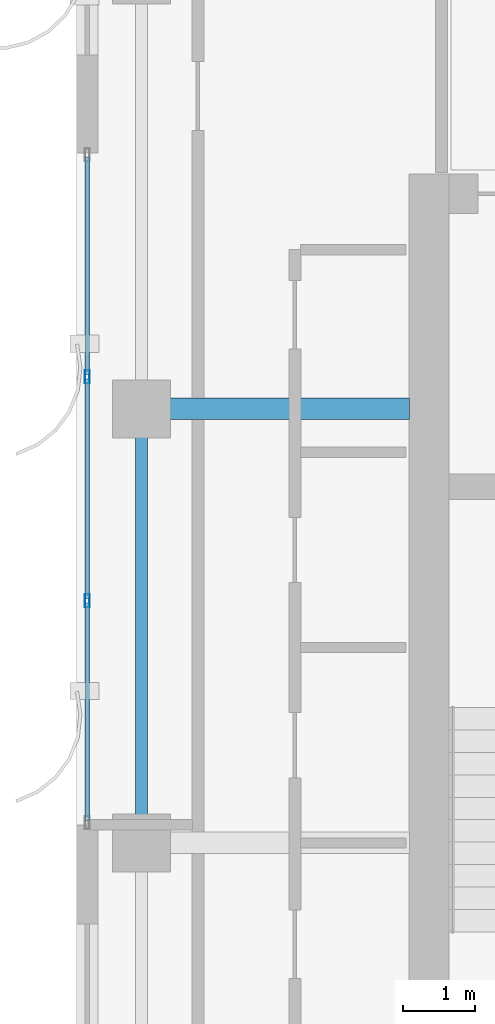
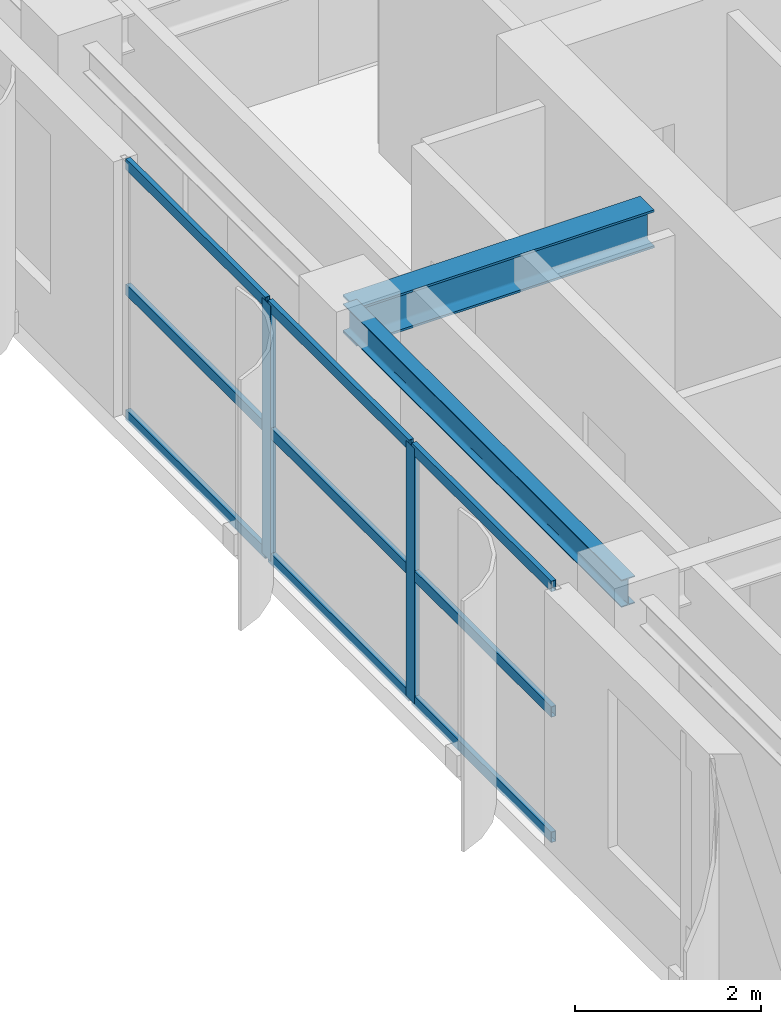
# One storey, part 6 of 24: 11 members, 2 beams, 1 element without a shape of its own.
"""IFC4 building model written with IfcOpenShell, lengths in metres."""

import ifcopenshell
import ifcopenshell.guid

model = None  # the IFC model being written
_history = None  # IfcOwnerHistory: only IFC2X3 demands one
_inside = {}  # id of a spatial element -> (the spatial element, [elements in it])
_under = {}  # id of a project, library or spatial element -> (it, [spatial elements below it])
_declared = {}  # id of a project -> (the project, [libraries it declares])
_typed = {}  # id of a type object -> (the type object, [elements of that type])
_made_of = {}  # id of a material, layer set ... -> (it, [elements and type objects made of it])


def new_model(schema):
    """Start an empty IFC model of exactly this schema.

    Asked for "IFC4X3", IfcOpenShell would pick the latest addendum, in which some entities
    have other attributes; the version numbers below select the first issue.
    IFC2X3 requires an IfcOwnerHistory on every rooted entity: one is made here for all.
    """
    global model, _history
    if schema == "IFC4X3":
        model = ifcopenshell.file(schema_version=(4, 3, 0, 0))
    else:
        model = ifcopenshell.file(schema=schema)
    _inside.clear()
    _under.clear()
    _declared.clear()
    _typed.clear()
    _made_of.clear()
    _history = None
    if model.schema == "IFC2X3":
        org = make("IfcOrganization", Name="unknown")
        user = make(
            "IfcPersonAndOrganization",
            ThePerson=make("IfcPerson", FamilyName="unknown"),
            TheOrganization=org,
        )
        app = make(
            "IfcApplication",
            ApplicationDeveloper=org,
            Version="unknown",
            ApplicationFullName="unknown",
            ApplicationIdentifier="unknown",
        )
        _history = make(
            "IfcOwnerHistory",
            OwningUser=user,
            OwningApplication=app,
            ChangeAction="ADDED",
            CreationDate=0,
        )
    return model


def make(cls, **values):
    """One entity of the class cls with the attributes given. An attribute that is None is left unset."""
    return model.create_entity(
        cls, **{name: value for name, value in values.items() if value is not None}
    )


def rooted(cls, **values):
    """An entity with a GlobalId (a new one), such as an element, a storey or a relation."""
    return make(cls, GlobalId=ifcopenshell.guid.new(), OwnerHistory=_history, **values)


def si_unit(unit_type, name, prefix=None):
    """IfcSIUnit, for example si_unit("LENGTHUNIT", "METRE", prefix="MILLI")."""
    return make("IfcSIUnit", UnitType=unit_type, Prefix=prefix, Name=name)


def assignment(units):
    """IfcUnitAssignment: the units of a project."""
    return None if units is None else make("IfcUnitAssignment", Units=units)


def point(xyz):
    """IfcCartesianPoint."""
    return None if xyz is None else make("IfcCartesianPoint", Coordinates=xyz)


def direction(xyz):
    """IfcDirection."""
    return None if xyz is None else make("IfcDirection", DirectionRatios=xyz)


def frame(location, z_axis=None, x_axis=None):
    """IfcAxis2Placement3D, a coordinate frame: its origin and axes. An axis left out is left unset."""
    return make(
        "IfcAxis2Placement3D",
        Location=point(location),
        Axis=direction(z_axis),
        RefDirection=direction(x_axis),
    )


def frame_2d(location, x_axis=None):
    """IfcAxis2Placement2D, a coordinate frame in the plane: its origin and x axis."""
    return make(
        "IfcAxis2Placement2D", Location=point(location), RefDirection=direction(x_axis)
    )


def origin():
    """The frame at (0, 0, 0) with its axes left unset."""
    return frame((0.0, 0.0, 0.0))


def origin_2d():
    """The frame at (0, 0) in the plane with its x axis left unset."""
    return frame_2d((0.0, 0.0))


def place(relative_to, where):
    """IfcLocalPlacement: puts the frame where relative to a parent placement (None: the world)."""
    return make(
        "IfcLocalPlacement", PlacementRelTo=relative_to, RelativePlacement=where
    )


def context(
    kind, dimensions, precision=None, world=None, true_north=None, identifier=None
):
    """IfcGeometricRepresentationContext, for example the 3D "Model" context."""
    return make(
        "IfcGeometricRepresentationContext",
        ContextIdentifier=identifier,
        ContextType=kind,
        CoordinateSpaceDimension=dimensions,
        Precision=precision,
        WorldCoordinateSystem=world,
        TrueNorth=true_north,
    )


def subcontext(parent, identifier, kind, view, scale=None):
    """IfcGeometricRepresentationSubContext, for example "Body" below "Model"."""
    return make(
        "IfcGeometricRepresentationSubContext",
        ContextIdentifier=identifier,
        ContextType=kind,
        ParentContext=parent,
        TargetScale=scale,
        TargetView=view,
    )


def project(units=None, contexts=None):
    """IfcProject with its units and contexts."""
    return rooted(
        "IfcProject",
        Name="project",
        RepresentationContexts=contexts,
        UnitsInContext=assignment(units),
    )


def spatial(cls, under=None, at=None, **own):
    """A site, building, storey or space (cls), placed at a placement, below another one or the project."""
    s = rooted(cls, ObjectPlacement=at, **own)
    if under is not None:
        _under.setdefault(under.id(), (under, []))[1].append(s)
    return s


def profile(cls, at=None, kind="AREA", **sizes):
    """A parametric profile (cls). Its sizes go by their IFC names, for example OverallWidth=200.0."""
    return make(cls, ProfileType=kind, Position=at, **sizes)


def hollow_rectangle(**sizes):
    """IfcRectangleHollowProfileDef."""
    return profile("IfcRectangleHollowProfileDef", **sizes)


def i_section(**sizes):
    """IfcIShapeProfileDef."""
    return profile("IfcIShapeProfileDef", **sizes)


def extrude(swept, where, along, depth):
    """IfcExtrudedAreaSolid: the profile swept, set in the frame where, extruded along a direction by depth."""
    return make(
        "IfcExtrudedAreaSolid",
        SweptArea=swept,
        Position=where,
        ExtrudedDirection=direction(along),
        Depth=depth,
    )


def shape(context_of_items, identifier, shape_type, items):
    """IfcShapeRepresentation: the items that make up one representation, for example the "Body"."""
    return make(
        "IfcShapeRepresentation",
        ContextOfItems=context_of_items,
        RepresentationIdentifier=identifier,
        RepresentationType=shape_type,
        Items=items,
    )


def source(mapping_origin, context_of_items, identifier, shape_type, items):
    """IfcRepresentationMap: a shape defined once, which mapped items show again and again."""
    return make(
        "IfcRepresentationMap",
        MappingOrigin=mapping_origin,
        MappedRepresentation=shape(context_of_items, identifier, shape_type, items),
    )


def transform(
    local_origin,
    x_axis=None,
    y_axis=None,
    z_axis=None,
    scale=None,
    scale2=None,
    scale3=None,
    uniform=True,
):
    """IfcCartesianTransformationOperator3D, or its non-uniform kind. x_axis, y_axis, z_axis: its Axis1, 2, 3."""
    if uniform:
        return make(
            "IfcCartesianTransformationOperator3D",
            Axis1=direction(x_axis),
            Axis2=direction(y_axis),
            LocalOrigin=point(local_origin),
            Scale=scale,
            Axis3=direction(z_axis),
        )
    return make(
        "IfcCartesianTransformationOperator3DnonUniform",
        Axis1=direction(x_axis),
        Axis2=direction(y_axis),
        LocalOrigin=point(local_origin),
        Scale=scale,
        Axis3=direction(z_axis),
        Scale2=scale2,
        Scale3=scale3,
    )


def mapped(mapping_source, mapping_target):
    """IfcMappedItem: shows the shape of a source again, moved by a transform."""
    return make(
        "IfcMappedItem", MappingSource=mapping_source, MappingTarget=mapping_target
    )


def material(Name=None, Category=None):
    """IfcMaterial."""
    return make("IfcMaterial", Name=Name, Category=Category)


def layer(
    of_material, thickness, ventilated=None, Name=None, Category=None, Priority=None
):
    """IfcMaterialLayer: one layer of a wall or slab, of a material (None: an air gap)."""
    return make(
        "IfcMaterialLayer",
        Material=of_material,
        LayerThickness=thickness,
        IsVentilated=ventilated,
        Name=Name,
        Category=Category,
        Priority=Priority,
    )


def layer_set(layers, Name=None):
    """IfcMaterialLayerSet."""
    return make("IfcMaterialLayerSet", MaterialLayers=layers, LayerSetName=Name)


def material_profile(
    of_material, cross_section, Name=None, Category=None, Priority=None
):
    """IfcMaterialProfile: a cross section and its material."""
    return make(
        "IfcMaterialProfile",
        Name=Name,
        Material=of_material,
        Profile=cross_section,
        Priority=Priority,
        Category=Category,
    )


def profile_set(profiles, Name=None, composite=None):
    """IfcMaterialProfileSet."""
    return make(
        "IfcMaterialProfileSet",
        Name=Name,
        MaterialProfiles=profiles,
        CompositeProfile=composite,
    )


def made_of(thing, what):
    """Note that an element or type object is made of a material, layer set ...; save() writes the relation."""
    if what is not None:
        _made_of.setdefault(what.id(), (what, []))[1].append(thing)
    return thing


def type_object(cls, material=None, **own):
    """A type object (cls), such as IfcWallType, which elements share."""
    return made_of(rooted(cls, **own), material)


def element(
    cls,
    number,
    at=None,
    inside=None,
    cuts=None,
    type_object=None,
    material=None,
    context=None,
    identifier="Body",
    shape_type=None,
    held_by="IfcProductDefinitionShape",
    body=None,
    shapes=None,
    **own,
):
    """One element of the class cls, such as IfcWall. Its Tag is "e" and its number.

    at: its placement. inside: the storey or other place that contains it. cuts: it is an
    opening in that element (IfcRelVoidsElement). A single representation is given by context,
    identifier, shape_type and body (its items); several are given by shapes. held_by: the class
    of the entity that holds the representations. save() writes the other relations.
    """
    e = rooted(cls, Tag="e%d" % number, ObjectPlacement=at, **own)
    if body is not None:
        shapes = [shape(context, identifier, shape_type, body)]
    if shapes is not None:
        e.Representation = make(held_by, Representations=shapes)
    if inside is not None:
        _inside.setdefault(inside.id(), (inside, []))[1].append(e)
    if cuts is not None:
        rooted(
            "IfcRelVoidsElement", RelatingBuildingElement=cuts, RelatedOpeningElement=e
        )
    if type_object is not None:
        _typed.setdefault(type_object.id(), (type_object, []))[1].append(e)
    return made_of(e, material)


def aggregate(whole, parts):
    """IfcRelAggregates: a whole, such as a stair, and the parts it consists of."""
    return rooted("IfcRelAggregates", RelatingObject=whole, RelatedObjects=parts)


def save(model, path):
    """Write the relations noted so far, then the file.

    IfcRelAggregates (storeys below a building ...), IfcRelContainedInSpatialStructure (elements
    in a storey), IfcRelDefinesByType, IfcRelAssociatesMaterial and IfcRelDeclares: one each for
    every whole, place, type object, material and project.
    """
    for whole, parts in _under.values():
        aggregate(whole, parts)
    for where, things in _inside.values():
        rooted(
            "IfcRelContainedInSpatialStructure",
            RelatedElements=things,
            RelatingStructure=where,
        )
    for kind, things in _typed.values():
        rooted("IfcRelDefinesByType", RelatedObjects=things, RelatingType=kind)
    for what, things in _made_of.values():
        rooted("IfcRelAssociatesMaterial", RelatedObjects=things, RelatingMaterial=what)
    for by, libraries in _declared.values():
        rooted("IfcRelDeclares", RelatingContext=by, RelatedDefinitions=libraries)
    model.write(path)


model = new_model("IFC4")

# Units and contexts
model_context = context("Model", 3, precision=1e-05, world=origin(), true_north=direction((0.0, 1.0)))
body_context = subcontext(model_context, "Body", "Model", "MODEL_VIEW")
ifc_project = project(units=[si_unit("LENGTHUNIT", "METRE"), si_unit("AREAUNIT", "SQUARE_METRE"), si_unit("VOLUMEUNIT", "CUBIC_METRE"), si_unit("PLANEANGLEUNIT", "RADIAN"), si_unit("MASSUNIT", "GRAM", prefix="KILO")], contexts=[model_context])

# Site, building, storey
site_placement = place(None, origin())
site = spatial("IfcSite", under=ifc_project, at=site_placement, CompositionType="ELEMENT")
building_placement = place(site_placement, origin())
building = spatial("IfcBuilding", under=site, at=building_placement, Name="Khoralis Quay Care Tower", CompositionType="ELEMENT")
storey_placement = place(building_placement, frame((0.0, 0.0, 231.300048828125)))
storey = spatial("IfcBuildingStorey", under=building, at=storey_placement, Name="L60", CompositionType="ELEMENT", Elevation=231.300048828125)

# Beams
ifc_material_1 = material(Name="Steel S355", Category="steel")
ifc_material_profile_1 = material_profile(ifc_material_1, i_section(OverallWidth=0.169921875, OverallDepth=0.360107421875, WebThickness=0.008056640625, FlangeThickness=0.0126953125, FilletRadius=0.01806640625, at=origin_2d()), Name="Steel S355")
ifc_profile_set_1 = profile_set([ifc_material_profile_1], Name="Steel S355")
beam_type_1 = type_object("IfcBeamType", Name="BM-IPE360", PredefinedType="SPANDREL", material=ifc_profile_set_1)
shared_shape_1 = source(origin(), body_context, "Body", "SweptSolid", [
    extrude(i_section(OverallWidth=0.169921875, OverallDepth=0.360107421875, WebThickness=0.008056640625, FlangeThickness=0.0126953125, FilletRadius=0.01806640625, at=origin_2d()), origin(), (0.0, 0.0, 1.0), 6.0),
])
beam_1_placement = place(storey_placement, frame((3.89990234375, 18.0, 3.179931640625), z_axis=(0.0, 1.0, 0.0), x_axis=(-1.0, 0.0, 0.0)))
element("IfcBeam", 1, at=beam_1_placement, inside=storey, type_object=beam_type_1, Name="BM-TSP-L60-06", PredefinedType="SPANDREL", context=body_context, shape_type="MappedRepresentation", body=[
    mapped(shared_shape_1, transform((0.0, 0.0, 0.0), scale=1.0)),
])
ifc_material_profile_2 = material_profile(ifc_material_1, i_section(OverallWidth=0.300048828125, OverallDepth=0.5, WebThickness=0.014404296875, FlangeThickness=0.028076171875, FilletRadius=0.027099609375, at=origin_2d()), Name="Steel S355")
ifc_profile_set_2 = profile_set([ifc_material_profile_2], Name="Steel S355")
beam_type_2 = type_object("IfcBeamType", Name="BM-HEB500", PredefinedType="BEAM", material=ifc_profile_set_2)
shared_shape_2 = source(origin(), body_context, "Body", "SweptSolid", [
    extrude(i_section(OverallWidth=0.300048828125, OverallDepth=0.5, WebThickness=0.014404296875, FlangeThickness=0.028076171875, FilletRadius=0.027099609375, at=origin_2d()), origin(), (0.0, 0.0, 1.0), 3.7021484375),
])
beam_2_placement = place(storey_placement, frame((3.89990234375, 24.0, 3.10986328125), z_axis=(1.0, 0.0, 0.0), x_axis=(0.0, 1.0, 0.0)))
element("IfcBeam", 2, at=beam_2_placement, inside=storey, type_object=beam_type_2, Name="BM-TGXW-L60-240", PredefinedType="BEAM", context=body_context, shape_type="MappedRepresentation", body=[
    mapped(shared_shape_2, transform((0.0, 0.0, 0.0), scale=1.0)),
])

# Curtain wall, members
ifc_material_2 = material(Name="Pale anodised aluminium", Category="aluminium")
ifc_layer = layer(ifc_material_2, 0.159912109375)
ifc_layer_set = layer_set([ifc_layer], Name="Pale anodised aluminium")
curtain_wall_type = type_object("IfcCurtainWallType", Name="CW-SYS-Z3", PredefinedType="NOTDEFINED", material=ifc_layer_set)
curtain_wall_placement = place(storey_placement, origin())
curtain_wall = element("IfcCurtainWall", 3, at=curtain_wall_placement, inside=storey, type_object=curtain_wall_type, Name="L60 Unitised Curtain Wall CW-L60-P1-E7", PredefinedType="NOTDEFINED")
ifc_material_profile_3 = material_profile(ifc_material_2, hollow_rectangle(XDim=0.06494140625, YDim=0.179931640625, WallThickness=0.00390625, at=origin_2d()), Name="Pale anodised aluminium")
ifc_profile_set_3 = profile_set([ifc_material_profile_3], Name="Pale anodised aluminium")
member_type_1 = type_object("IfcMemberType", Name="CW-MUL-180", PredefinedType="MULLION", material=ifc_profile_set_3)
shared_shape_3 = source(origin(), body_context, "Body", "SweptSolid", [
    extrude(hollow_rectangle(XDim=0.06494140625, YDim=0.179931640625, WallThickness=0.00390625, at=origin_2d()), origin(), (0.0, 0.0, 1.0), 3.35986328125),
])
member_1_placement = place(storey_placement, frame((3.14990234375, 24.443359375, 0.0), z_axis=(0.0, 0.0, 1.0), x_axis=(1.0, 0.0, 0.0)))
member_1 = element("IfcMember", 4, at=member_1_placement, type_object=member_type_1, Name="CW3 mullion 2", PredefinedType="MULLION", context=body_context, shape_type="MappedRepresentation", body=[
    mapped(shared_shape_3, transform((0.0, 0.0, 0.0), scale=1.0)),
])
member_2_placement = place(storey_placement, frame((3.14990234375, 21.3466796875, 0.0), z_axis=(0.0, 0.0, 1.0), x_axis=(1.0, 0.0, 0.0)))
member_2 = element("IfcMember", 5, at=member_2_placement, type_object=member_type_1, Name="CW3 mullion 3", PredefinedType="MULLION", context=body_context, shape_type="MappedRepresentation", body=[
    mapped(shared_shape_3, transform((0.0, 0.0, 0.0), scale=1.0)),
])
ifc_material_profile_4 = material_profile(ifc_material_2, hollow_rectangle(XDim=0.06005859375, YDim=0.139892578125, WallThickness=0.00390625, at=origin_2d()), Name="Pale anodised aluminium")
ifc_profile_set_4 = profile_set([ifc_material_profile_4], Name="Pale anodised aluminium")
member_type_2 = type_object("IfcMemberType", Name="CW-TRN-140", PredefinedType="USERDEFINED", material=ifc_profile_set_4)
shared_shape_4 = source(origin(), body_context, "Body", "SweptSolid", [
    extrude(hollow_rectangle(XDim=0.06005859375, YDim=0.139892578125, WallThickness=0.00390625, at=origin_2d()), origin(), (0.0, 0.0, 1.0), 3.006591796875),
])
member_3_placement = place(storey_placement, frame((3.14990234375, 27.47998046875, 0.030029296875), z_axis=(0.0, -1.0, 0.0), x_axis=(1.0, 0.0, 0.0)))
member_3 = element("IfcMember", 6, at=member_3_placement, type_object=member_type_2, Name="CW3 transom 1.1", ObjectType="TRANSOM", PredefinedType="USERDEFINED", context=body_context, shape_type="MappedRepresentation", body=[
    mapped(shared_shape_4, transform((0.0, 0.0, 0.0), scale=1.0)),
])
member_4_placement = place(storey_placement, frame((3.14990234375, 27.47998046875, 1.679931640625), z_axis=(0.0, -1.0, 0.0), x_axis=(1.0, 0.0, 0.0)))
member_4 = element("IfcMember", 7, at=member_4_placement, type_object=member_type_2, Name="CW3 transom 1.2", ObjectType="TRANSOM", PredefinedType="USERDEFINED", context=body_context, shape_type="MappedRepresentation", body=[
    mapped(shared_shape_4, transform((0.0, 0.0, 0.0), scale=1.0)),
])
member_5_placement = place(storey_placement, frame((3.14990234375, 27.47998046875, 3.329833984375), z_axis=(0.0, -1.0, 0.0), x_axis=(1.0, 0.0, 0.0)))
member_5 = element("IfcMember", 8, at=member_5_placement, type_object=member_type_2, Name="CW3 transom 1.3", ObjectType="TRANSOM", PredefinedType="USERDEFINED", context=body_context, shape_type="MappedRepresentation", body=[
    mapped(shared_shape_4, transform((0.0, 0.0, 0.0), scale=1.0)),
])
member_6_placement = place(storey_placement, frame((3.14990234375, 21.316650390625, 0.030029296875), z_axis=(0.0, -1.0, 0.0), x_axis=(1.0, 0.0, 0.0)))
member_6 = element("IfcMember", 9, at=member_6_placement, type_object=member_type_2, Name="CW3 transom 3.1", ObjectType="TRANSOM", PredefinedType="USERDEFINED", context=body_context, shape_type="MappedRepresentation", body=[
    mapped(shared_shape_4, transform((0.0, 0.0, 0.0), scale=1.0)),
])
member_7_placement = place(storey_placement, frame((3.14990234375, 21.316650390625, 1.679931640625), z_axis=(0.0, -1.0, 0.0), x_axis=(1.0, 0.0, 0.0)))
member_7 = element("IfcMember", 10, at=member_7_placement, type_object=member_type_2, Name="CW3 transom 3.2", ObjectType="TRANSOM", PredefinedType="USERDEFINED", context=body_context, shape_type="MappedRepresentation", body=[
    mapped(shared_shape_4, transform((0.0, 0.0, 0.0), scale=1.0)),
])
member_8_placement = place(storey_placement, frame((3.14990234375, 21.316650390625, 3.329833984375), z_axis=(0.0, -1.0, 0.0), x_axis=(1.0, 0.0, 0.0)))
member_8 = element("IfcMember", 11, at=member_8_placement, type_object=member_type_2, Name="CW3 transom 3.3", ObjectType="TRANSOM", PredefinedType="USERDEFINED", context=body_context, shape_type="MappedRepresentation", body=[
    mapped(shared_shape_4, transform((0.0, 0.0, 0.0), scale=1.0)),
])
shared_shape_5 = source(origin(), body_context, "Body", "SweptSolid", [
    extrude(hollow_rectangle(XDim=0.06005859375, YDim=0.139892578125, WallThickness=0.00390625, at=origin_2d()), origin(), (0.0, 0.0, 1.0), 3.03662109375),
])
member_9_placement = place(storey_placement, frame((3.14990234375, 24.413330078125, 0.030029296875), z_axis=(0.0, -1.0, 0.0), x_axis=(1.0, 0.0, 0.0)))
member_9 = element("IfcMember", 12, at=member_9_placement, type_object=member_type_2, Name="CW3 transom 2.1", ObjectType="TRANSOM", PredefinedType="USERDEFINED", context=body_context, shape_type="MappedRepresentation", body=[
    mapped(shared_shape_5, transform((0.0, 0.0, 0.0), scale=1.0)),
])
member_10_placement = place(storey_placement, frame((3.14990234375, 24.413330078125, 1.679931640625), z_axis=(0.0, -1.0, 0.0), x_axis=(1.0, 0.0, 0.0)))
member_10 = element("IfcMember", 13, at=member_10_placement, type_object=member_type_2, Name="CW3 transom 2.2", ObjectType="TRANSOM", PredefinedType="USERDEFINED", context=body_context, shape_type="MappedRepresentation", body=[
    mapped(shared_shape_5, transform((0.0, 0.0, 0.0), scale=1.0)),
])
member_11_placement = place(storey_placement, frame((3.14990234375, 24.413330078125, 3.329833984375), z_axis=(0.0, -1.0, 0.0), x_axis=(1.0, 0.0, 0.0)))
member_11 = element("IfcMember", 14, at=member_11_placement, type_object=member_type_2, Name="CW3 transom 2.3", ObjectType="TRANSOM", PredefinedType="USERDEFINED", context=body_context, shape_type="MappedRepresentation", body=[
    mapped(shared_shape_5, transform((0.0, 0.0, 0.0), scale=1.0)),
])
aggregate(curtain_wall, [member_1, member_2, member_3, member_4, member_5, member_9, member_10, member_11, member_6, member_7, member_8])

save(model, "model.ifc")
